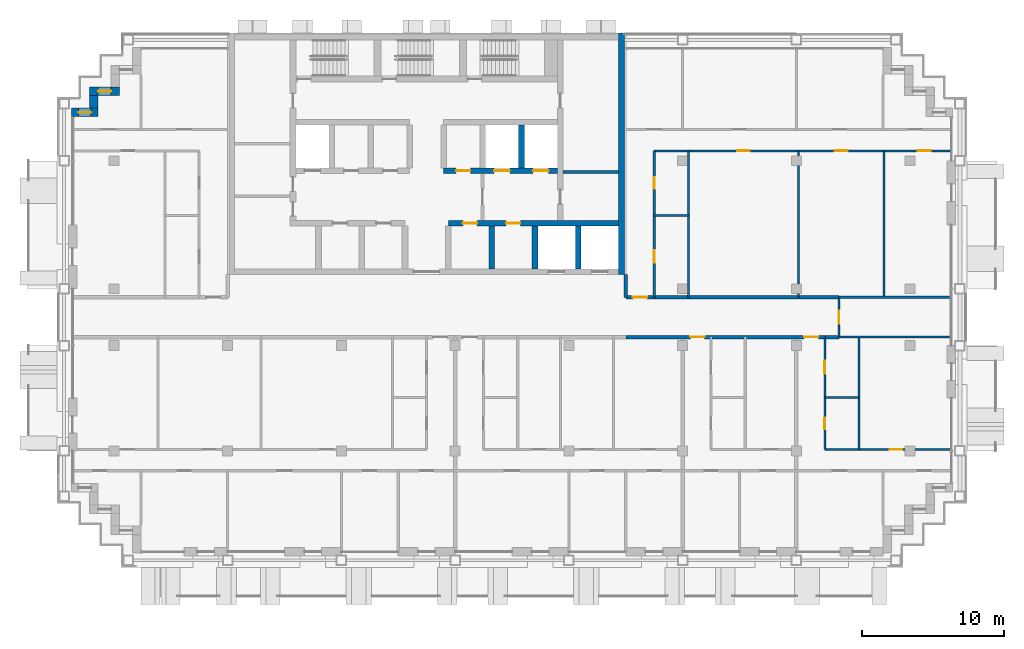
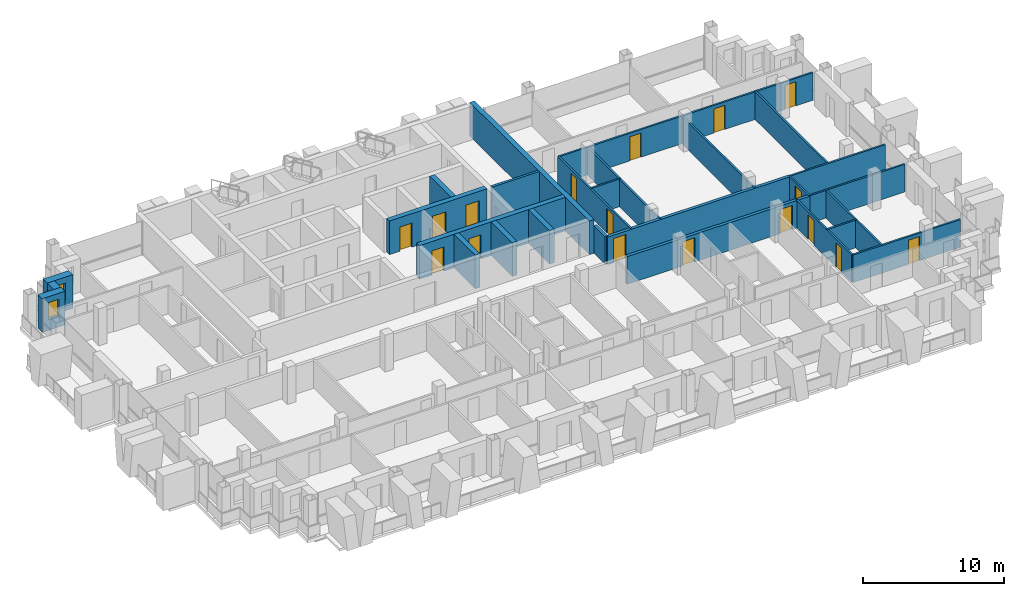
# One storey, part 10 of 16: 27 walls, 17 doors, 2 windows, 19 openings.
"""IFC4 building model written with IfcOpenShell, lengths in metres."""

from ifc_helpers import new_model, si_unit, direction, frame, frame_2d, origin, place, context, subcontext, project, spatial, rectangle, extrude, material, layer, layer_set, type_object, element, fill, save


model = new_model("IFC4")

# Units and contexts
model_context = context("Model", 3, precision=1e-05, world=origin(), true_north=direction((0.0, 1.0)))
body_context = subcontext(model_context, "Body", "Model", "MODEL_VIEW")
ifc_project = project(units=[si_unit("LENGTHUNIT", "METRE"), si_unit("AREAUNIT", "SQUARE_METRE"), si_unit("VOLUMEUNIT", "CUBIC_METRE"), si_unit("PLANEANGLEUNIT", "RADIAN"), si_unit("MASSUNIT", "GRAM", prefix="KILO")], contexts=[model_context])

# Site, building, storey
site_placement = place(None, origin())
site = spatial("IfcSite", under=ifc_project, at=site_placement, CompositionType="ELEMENT")
building_placement = place(site_placement, origin())
building = spatial("IfcBuilding", under=site, at=building_placement, Name="Vidyagriha Tower", CompositionType="ELEMENT")
storey_placement = place(building_placement, frame((0.0, 0.0, 178.10009765625)))
storey = spatial("IfcBuildingStorey", under=building, at=storey_placement, Name="L46", CompositionType="ELEMENT", Elevation=178.10009765625)

# Wall, opening, window
ifc_material_1 = material(Name="Precast concrete C40/50 with brick facing", Category="concrete")
ifc_layer_1 = layer(ifc_material_1, 0.60009765625)
ifc_layer_set_1 = layer_set([ifc_layer_1], Name="Precast concrete C40/50 with brick facing")
wall_type_1 = type_object("IfcWallType", Name="Brick-faced precast wall 600", PredefinedType="STANDARD", material=ifc_layer_set_1)
wall_1_placement = place(storey_placement, frame((-21.60009765625, 15.89990234375, 0.0), z_axis=(0.0, 0.0, 1.0), x_axis=(-1.0, 0.0, 0.0)))
wall_1 = element("IfcWall", 1, at=wall_1_placement, inside=storey, type_object=wall_type_1, Name="Stepped corner wall L46 R13", PredefinedType="STANDARD", context=body_context, shape_type="SweptSolid", body=[
    extrude(rectangle(XDim=2.099853515625, YDim=0.60009765625, at=frame_2d((1.0498046875, 0.0))), origin(), (0.0, 0.0, 1.0), 2.919921875),
])
opening_1_placement = place(wall_1_placement, frame((0.60009765625, 0.0, 0.89990234375)))
opening_1 = element("IfcOpeningElement", 2, at=opening_1_placement, cuts=wall_1, Name="Opening WN1", PredefinedType="OPENING", context=body_context, shape_type="SweptSolid", body=[
    extrude(rectangle(XDim=0.89990234375, YDim=1.5, at=frame_2d((0.449951171875, 0.75))), frame((0.0, 0.31005859375, 0.0), z_axis=(0.0, -1.0, 0.0), x_axis=(1.0, 0.0, 0.0)), (0.0, 0.0, 1.0), 0.6201171875),
])
ifc_material_2 = material(Name="Aluminium and glass window", Category="aluminium")
window_type = type_object("IfcWindowType", Name="Reveal window 900x1500", PartitioningType="NOTDEFINED", PredefinedType="WINDOW", material=ifc_material_2)
window_1_placement = place(opening_1_placement, origin())
window_1 = element("IfcWindow", 3, at=window_1_placement, inside=storey, type_object=window_type, Name="Reveal window L46 R13", OverallHeight=1.5, OverallWidth=0.89990234375, PartitioningType="SINGLE_PANEL", PredefinedType="WINDOW", context=body_context, shape_type="SweptSolid", body=[
    extrude(rectangle(XDim=0.89990234375, YDim=1.5, at=frame_2d((0.449951171875, 0.75))), frame((0.0, 0.030029296875, 0.0), z_axis=(0.0, -1.0, 0.0), x_axis=(1.0, 0.0, 0.0)), (0.0, 0.0, 1.0), 0.06005859375),
])
fill(opening_1, window_1)

# Wall
wall_2_placement = place(storey_placement, frame((-23.39990234375, 15.60009765625, 0.0), z_axis=(0.0, 0.0, 1.0), x_axis=(0.0, -1.0, 0.0)))
element("IfcWall", 4, at=wall_2_placement, inside=storey, type_object=wall_type_1, Name="Stepped corner wall L46 R14", PredefinedType="STANDARD", context=body_context, shape_type="SweptSolid", body=[
    extrude(rectangle(XDim=0.900146484375, YDim=0.60009765625, at=frame_2d((0.4501953125, 0.0))), origin(), (0.0, 0.0, 1.0), 2.919921875),
])

# Wall, opening, window
wall_3_placement = place(storey_placement, frame((-23.10009765625, 14.39990234375, 0.0), z_axis=(0.0, 0.0, 1.0), x_axis=(-1.0, 0.0, 0.0)))
wall_3 = element("IfcWall", 5, at=wall_3_placement, inside=storey, type_object=wall_type_1, Name="Stepped corner wall L46 R15", PredefinedType="STANDARD", context=body_context, shape_type="SweptSolid", body=[
    extrude(rectangle(XDim=1.8798828125, YDim=0.60009765625, at=frame_2d((0.93994140625, 0.0))), origin(), (0.0, 0.0, 1.0), 2.919921875),
])
opening_2_placement = place(wall_3_placement, frame((0.489990234375, 0.0, 0.89990234375)))
opening_2 = element("IfcOpeningElement", 6, at=opening_2_placement, cuts=wall_3, Name="Opening WN1", PredefinedType="OPENING", context=body_context, shape_type="SweptSolid", body=[
    extrude(rectangle(XDim=0.89990234375, YDim=1.5, at=frame_2d((0.449951171875, 0.75))), frame((0.0, 0.31005859375, 0.0), z_axis=(0.0, -1.0, 0.0), x_axis=(1.0, 0.0, 0.0)), (0.0, 0.0, 1.0), 0.6201171875),
])
window_2_placement = place(opening_2_placement, origin())
window_2 = element("IfcWindow", 7, at=window_2_placement, inside=storey, type_object=window_type, Name="Reveal window L46 R15", OverallHeight=1.5, OverallWidth=0.89990234375, PartitioningType="SINGLE_PANEL", PredefinedType="WINDOW", context=body_context, shape_type="SweptSolid", body=[
    extrude(rectangle(XDim=0.89990234375, YDim=1.5, at=frame_2d((0.449951171875, 0.75))), frame((0.0, 0.030029296875, 0.0), z_axis=(0.0, -1.0, 0.0), x_axis=(1.0, 0.0, 0.0)), (0.0, 0.0, 1.0), 0.06005859375),
])
fill(opening_2, window_2)

# Wall
ifc_material_3 = material(Name="Concrete C60/75", Category="concrete")
ifc_layer_2 = layer(ifc_material_3, 0.39990234375)
ifc_layer_set_2 = layer_set([ifc_layer_2], Name="Concrete C60/75")
wall_type_2 = type_object("IfcWallType", Name="Core shear wall 400 mm", PredefinedType="SHEAR", material=ifc_layer_set_2)
wall_4_placement = place(storey_placement, frame((13.699951171875, 3.0, 0.0), z_axis=(0.0, 0.0, 1.0), x_axis=(0.0, 1.0, 0.0)))
element("IfcWall", 8, at=wall_4_placement, inside=storey, type_object=wall_type_2, Name="Core east wall", PredefinedType="SHEAR", context=body_context, shape_type="SweptSolid", body=[
    extrude(rectangle(XDim=17.0, YDim=0.39990234375, at=frame_2d((8.5, 0.0))), origin(), (0.0, 0.0, 1.0), 2.919921875),
])

# Wall, openings, doors
wall_5_placement = place(storey_placement, frame((1.522216796875, 6.60009765625, 0.0)))
wall_5 = element("IfcWall", 9, at=wall_5_placement, inside=storey, type_object=wall_type_2, Name="Core lobby south wall east", PredefinedType="SHEAR", context=body_context, shape_type="SweptSolid", body=[
    extrude(rectangle(XDim=11.977783203125, YDim=0.39990234375, at=frame_2d((5.98876953125, 0.0))), origin(), (0.0, 0.0, 1.0), 2.919921875),
])
opening_3_placement = place(wall_5_placement, frame((1.022216796875, 0.0, 0.0)))
opening_3 = element("IfcOpeningElement", 10, at=opening_3_placement, cuts=wall_5, Name="Opening D46-04", PredefinedType="OPENING", context=body_context, shape_type="SweptSolid", body=[
    extrude(rectangle(XDim=1.0, YDim=2.10009765625, at=frame_2d((0.5, 1.050048828125))), frame((0.0, 0.2099609375, 0.0), z_axis=(0.0, -1.0, 0.0), x_axis=(1.0, 0.0, 0.0)), (0.0, 0.0, 1.0), 0.419921875),
])
opening_4_placement = place(wall_5_placement, frame((4.066650390625, 0.0, 0.0)))
opening_4 = element("IfcOpeningElement", 11, at=opening_4_placement, cuts=wall_5, Name="Opening D46-05", PredefinedType="OPENING", context=body_context, shape_type="SweptSolid", body=[
    extrude(rectangle(XDim=1.0, YDim=2.10009765625, at=frame_2d((0.5, 1.050048828125))), frame((0.0, 0.2099609375, 0.0), z_axis=(0.0, -1.0, 0.0), x_axis=(1.0, 0.0, 0.0)), (0.0, 0.0, 1.0), 0.419921875),
])
ifc_material_4 = material(Name="Hollow metal door leaf")
door_type_1 = type_object("IfcDoorType", Name="Core room door 1000 x 2100 mm EI 60", OperationType="NOTDEFINED", PredefinedType="DOOR", material=ifc_material_4)
door_1_placement = place(opening_3_placement, origin())
door_1 = element("IfcDoor", 12, at=door_1_placement, inside=storey, type_object=door_type_1, Name="Door Pressurisation Plant Room 46.03", OperationType="SINGLE_SWING_RIGHT", OverallHeight=2.10009765625, OverallWidth=1.0, PredefinedType="DOOR", context=body_context, shape_type="SweptSolid", body=[
    extrude(rectangle(XDim=1.0, YDim=2.10009765625, at=frame_2d((0.5, 1.050048828125))), frame((0.0, 0.02490234375, 0.0), z_axis=(0.0, -1.0, 0.0), x_axis=(1.0, 0.0, 0.0)), (0.0, 0.0, 1.0), 0.050048828125),
])
fill(opening_3, door_1)
door_2_placement = place(opening_4_placement, origin())
door_2 = element("IfcDoor", 13, at=door_2_placement, inside=storey, type_object=door_type_1, Name="Door Mechanical Riser Room 46.04", OperationType="SINGLE_SWING_RIGHT", OverallHeight=2.10009765625, OverallWidth=1.0, PredefinedType="DOOR", context=body_context, shape_type="SweptSolid", body=[
    extrude(rectangle(XDim=1.0, YDim=2.10009765625, at=frame_2d((0.5, 1.050048828125))), frame((0.0, 0.02490234375, 0.0), z_axis=(0.0, -1.0, 0.0), x_axis=(1.0, 0.0, 0.0)), (0.0, 0.0, 1.0), 0.050048828125),
])
fill(opening_4, door_2)

# Walls
for number, where, z_axis, x_axis, name in (
    (14, (4.566650390625, 3.39990234375, 0.0), (0.0, 0.0, 1.0), (0.0, 1.0, 0.0), "Core bay wall S6"),
    (15, (7.611083984375, 3.39990234375, 0.0), (0.0, 0.0, 1.0), (0.0, 1.0, 0.0), "Core bay wall S7"),
    (16, (10.655517578125, 3.39990234375, 0.0), (0.0, 0.0, 1.0), (0.0, 1.0, 0.0), "Core bay wall S8"),
):
    element("IfcWall", number, at=place(storey_placement, frame(where, z_axis=z_axis, x_axis=x_axis)), inside=storey, type_object=wall_type_2, Name=name, PredefinedType="SHEAR", context=body_context, shape_type="SweptSolid", body=[
        extrude(rectangle(XDim=3.0, YDim=0.39990234375, at=frame_2d((1.5, 0.0))), origin(), (0.0, 0.0, 1.0), 2.919921875),
    ])

# Wall, openings, doors
wall_6_placement = place(storey_placement, frame((1.199951171875, 10.300048828125, 0.0)))
wall_6 = element("IfcWall", 17, at=wall_6_placement, inside=storey, type_object=wall_type_2, Name="Core row N front wall", PredefinedType="SHEAR", context=body_context, shape_type="SweptSolid", body=[
    extrude(rectangle(XDim=8.0, YDim=0.39990234375, at=frame_2d((4.0, 0.0))), origin(), (0.0, 0.0, 1.0), 2.919921875),
])
opening_5_placement = place(wall_6_placement, frame((3.550048828125, 0.0, 0.0)))
opening_5 = element("IfcOpeningElement", 18, at=opening_5_placement, cuts=wall_6, Name="Opening LD46-04", PredefinedType="OPENING", context=body_context, shape_type="SweptSolid", body=[
    extrude(rectangle(XDim=1.10009765625, YDim=2.10009765625, at=frame_2d((0.550048828125, 1.050048828125))), frame((0.0, 0.2099609375, 0.0), z_axis=(0.0, -1.0, 0.0), x_axis=(1.0, 0.0, 0.0)), (0.0, 0.0, 1.0), 0.419921875),
])
opening_6_placement = place(wall_6_placement, frame((6.283203125, 0.0, 0.0)))
opening_6 = element("IfcOpeningElement", 19, at=opening_6_placement, cuts=wall_6, Name="Opening LD46-05", PredefinedType="OPENING", context=body_context, shape_type="SweptSolid", body=[
    extrude(rectangle(XDim=1.10009765625, YDim=2.10009765625, at=frame_2d((0.550048828125, 1.050048828125))), frame((0.0, 0.2099609375, 0.0), z_axis=(0.0, -1.0, 0.0), x_axis=(1.0, 0.0, 0.0)), (0.0, 0.0, 1.0), 0.419921875),
])
opening_7_placement = place(wall_6_placement, frame((0.86669921875, 0.0, 0.0)))
opening_7 = element("IfcOpeningElement", 20, at=opening_7_placement, cuts=wall_6, Name="Opening D46-08", PredefinedType="OPENING", context=body_context, shape_type="SweptSolid", body=[
    extrude(rectangle(XDim=1.0, YDim=2.10009765625, at=frame_2d((0.5, 1.050048828125))), frame((0.0, 0.2099609375, 0.0), z_axis=(0.0, -1.0, 0.0), x_axis=(1.0, 0.0, 0.0)), (0.0, 0.0, 1.0), 0.419921875),
])
door_3_placement = place(opening_7_placement, frame((1.0, 0.0, 0.0), z_axis=(0.0, 0.0, 1.0), x_axis=(-1.0, 0.0, 0.0)))
door_3 = element("IfcDoor", 21, at=door_3_placement, inside=storey, type_object=door_type_1, Name="Door Riser Room 46.16", OperationType="SINGLE_SWING_LEFT", OverallHeight=2.10009765625, OverallWidth=1.0, PredefinedType="DOOR", context=body_context, shape_type="SweptSolid", body=[
    extrude(rectangle(XDim=1.0, YDim=2.10009765625, at=frame_2d((0.5, 1.050048828125))), frame((0.0, 0.02490234375, 0.0), z_axis=(0.0, -1.0, 0.0), x_axis=(1.0, 0.0, 0.0)), (0.0, 0.0, 1.0), 0.050048828125),
])
fill(opening_7, door_3)
ifc_material_5 = material(Name="Stainless steel sliding door panel", Category="steel")
door_type_2 = type_object("IfcDoorType", Name="Lift landing door 1100 x 2100 mm EI 90", OperationType="NOTDEFINED", PredefinedType="DOOR", material=ifc_material_5)
door_4_placement = place(opening_5_placement, origin())
door_4 = element("IfcDoor", 22, at=door_4_placement, inside=storey, type_object=door_type_2, Name="Landing door FF1 L46", OperationType="SLIDING_TO_LEFT", OverallHeight=2.10009765625, OverallWidth=1.10009765625, PredefinedType="DOOR", context=body_context, shape_type="SweptSolid", body=[
    extrude(rectangle(XDim=1.10009765625, YDim=2.10009765625, at=frame_2d((0.550048828125, 1.050048828125))), frame((0.0, 0.02490234375, 0.0), z_axis=(0.0, -1.0, 0.0), x_axis=(1.0, 0.0, 0.0)), (0.0, 0.0, 1.0), 0.050048828125),
])
fill(opening_5, door_4)
door_5_placement = place(opening_6_placement, origin())
door_5 = element("IfcDoor", 23, at=door_5_placement, inside=storey, type_object=door_type_2, Name="Landing door FF2 L46", OperationType="SLIDING_TO_LEFT", OverallHeight=2.10009765625, OverallWidth=1.10009765625, PredefinedType="DOOR", context=body_context, shape_type="SweptSolid", body=[
    extrude(rectangle(XDim=1.10009765625, YDim=2.10009765625, at=frame_2d((0.550048828125, 1.050048828125))), frame((0.0, 0.02490234375, 0.0), z_axis=(0.0, -1.0, 0.0), x_axis=(1.0, 0.0, 0.0)), (0.0, 0.0, 1.0), 0.050048828125),
])
fill(opening_6, door_5)

# Wall
wall_7_placement = place(storey_placement, frame((6.666748046875, 10.5, 0.0), z_axis=(0.0, 0.0, 1.0), x_axis=(0.0, 1.0, 0.0)))
element("IfcWall", 24, at=wall_7_placement, inside=storey, type_object=wall_type_2, Name="Core bay wall N6", PredefinedType="SHEAR", context=body_context, shape_type="SweptSolid", body=[
    extrude(rectangle(XDim=3.0, YDim=0.39990234375, at=frame_2d((1.5, 0.0))), origin(), (0.0, 0.0, 1.0), 2.919921875),
])

# Wall, openings, doors
ifc_material_6 = material(Name="Fired clay brick masonry", Category="masonry")
ifc_layer_3 = layer(ifc_material_6, 0.25)
ifc_layer_set_3 = layer_set([ifc_layer_3], Name="Fired clay brick masonry")
wall_type_3 = type_object("IfcWallType", Name="Fired clay brick corridor wall 250", PredefinedType="PARTITIONING", material=ifc_layer_set_3)
wall_8_placement = place(storey_placement, frame((29.0, -1.39990234375, 0.0), z_axis=(0.0, 0.0, 1.0), x_axis=(-1.0, 0.0, 0.0)))
wall_8 = element("IfcWall", 25, at=wall_8_placement, inside=storey, type_object=wall_type_3, Name="Wall all-L46-w069", PredefinedType="PARTITIONING", context=body_context, shape_type="SweptSolid", body=[
    extrude(rectangle(XDim=15.0, YDim=0.25, at=frame_2d((7.5, 0.0))), origin(), (0.0, 0.0, 1.0), 2.39990234375),
])
opening_8_placement = place(wall_8_placement, frame((9.452880859375, 0.0, 0.0)))
opening_8 = element("IfcOpeningElement", 26, at=opening_8_placement, cuts=wall_8, Name="Opening D46-43", PredefinedType="OPENING", context=body_context, shape_type="SweptSolid", body=[
    extrude(rectangle(XDim=1.0, YDim=2.10009765625, at=frame_2d((0.5, 1.050048828125))), frame((0.0, 0.135009765625, 0.0), z_axis=(0.0, -1.0, 0.0), x_axis=(1.0, 0.0, 0.0)), (0.0, 0.0, 1.0), 0.27001953125),
])
opening_9_placement = place(wall_8_placement, frame((1.452880859375, 0.0, 0.0)))
opening_9 = element("IfcOpeningElement", 27, at=opening_9_placement, cuts=wall_8, Name="Opening D46-49", PredefinedType="OPENING", context=body_context, shape_type="SweptSolid", body=[
    extrude(rectangle(XDim=1.0, YDim=2.10009765625, at=frame_2d((0.5, 1.050048828125))), frame((0.0, 0.135009765625, 0.0), z_axis=(0.0, -1.0, 0.0), x_axis=(1.0, 0.0, 0.0)), (0.0, 0.0, 1.0), 0.27001953125),
])
ifc_material_7 = material(Name="Fire-rated timber door leaf EI 60", Category="wood")
door_type_3 = type_object("IfcDoorType", Name="Flat entrance fire door 1000x2100", OperationType="NOTDEFINED", PredefinedType="DOOR", material=ifc_material_7)
door_6_placement = place(opening_8_placement, origin())
door_6 = element("IfcDoor", 28, at=door_6_placement, inside=storey, type_object=door_type_3, Name="Door D46-43", OperationType="SINGLE_SWING_RIGHT", OverallHeight=2.10009765625, OverallWidth=1.0, PredefinedType="DOOR", context=body_context, shape_type="SweptSolid", body=[
    extrude(rectangle(XDim=1.0, YDim=2.10009765625, at=frame_2d((0.5, 1.050048828125))), frame((0.0, 0.02490234375, 0.0), z_axis=(0.0, -1.0, 0.0), x_axis=(1.0, 0.0, 0.0)), (0.0, 0.0, 1.0), 0.050048828125),
])
fill(opening_8, door_6)
door_7_placement = place(opening_9_placement, origin())
door_7 = element("IfcDoor", 29, at=door_7_placement, inside=storey, type_object=door_type_3, Name="Door D46-49", OperationType="SINGLE_SWING_RIGHT", OverallHeight=2.10009765625, OverallWidth=1.0, PredefinedType="DOOR", context=body_context, shape_type="SweptSolid", body=[
    extrude(rectangle(XDim=1.0, YDim=2.10009765625, at=frame_2d((0.5, 1.050048828125))), frame((0.0, 0.02490234375, 0.0), z_axis=(0.0, -1.0, 0.0), x_axis=(1.0, 0.0, 0.0)), (0.0, 0.0, 1.0), 0.050048828125),
])
fill(opening_9, door_7)

# Wall, opening, door
wall_9_placement = place(storey_placement, frame((14.0, 1.39990234375, 0.0)))
wall_9 = element("IfcWall", 30, at=wall_9_placement, inside=storey, type_object=wall_type_3, Name="Wall all-L46-w104", PredefinedType="PARTITIONING", context=body_context, shape_type="SweptSolid", body=[
    extrude(rectangle(XDim=15.0, YDim=0.25, at=frame_2d((7.5, 0.0))), origin(), (0.0, 0.0, 1.0), 2.39990234375),
])
opening_10_placement = place(wall_9_placement, frame((0.5, 0.0, 0.0)))
opening_10 = element("IfcOpeningElement", 31, at=opening_10_placement, cuts=wall_9, Name="Opening D46-65", PredefinedType="OPENING", context=body_context, shape_type="SweptSolid", body=[
    extrude(rectangle(XDim=1.0, YDim=2.10009765625, at=frame_2d((0.5, 1.050048828125))), frame((0.0, 0.135009765625, 0.0), z_axis=(0.0, -1.0, 0.0), x_axis=(1.0, 0.0, 0.0)), (0.0, 0.0, 1.0), 0.27001953125),
])
door_8_placement = place(opening_10_placement, origin())
door_8 = element("IfcDoor", 32, at=door_8_placement, inside=storey, type_object=door_type_3, Name="Door D46-65", OperationType="SINGLE_SWING_LEFT", OverallHeight=2.10009765625, OverallWidth=1.0, PredefinedType="DOOR", context=body_context, shape_type="SweptSolid", body=[
    extrude(rectangle(XDim=1.0, YDim=2.10009765625, at=frame_2d((0.5, 1.050048828125))), frame((0.0, 0.02490234375, 0.0), z_axis=(0.0, -1.0, 0.0), x_axis=(1.0, 0.0, 0.0)), (0.0, 0.0, 1.0), 0.050048828125),
])
fill(opening_10, door_8)

# Walls
wall_10_placement = place(storey_placement, frame((14.0, 1.39990234375, 0.0), z_axis=(0.0, 0.0, 1.0), x_axis=(0.0, 1.0, 0.0)))
element("IfcWall", 33, at=wall_10_placement, inside=storey, type_object=wall_type_3, Name="Wall all-L46-w110", PredefinedType="PARTITIONING", context=body_context, shape_type="SweptSolid", body=[
    extrude(rectangle(XDim=1.60009765625, YDim=0.25, at=frame_2d((0.800048828125, 0.0))), origin(), (0.0, 0.0, 1.0), 2.39990234375),
])
ifc_material_8 = material(Name="Gypsum board partition")
ifc_layer_4 = layer(ifc_material_8, 0.14990234375)
ifc_layer_set_4 = layer_set([ifc_layer_4], Name="Gypsum board partition")
wall_type_4 = type_object("IfcWallType", Name="Gypsum board partition 150", PredefinedType="PARTITIONING", material=ifc_layer_set_4)
wall_11_placement = place(storey_placement, frame((30.39990234375, -5.64990234375, 0.0), z_axis=(0.0, 0.0, 1.0), x_axis=(-1.0, 0.0, 0.0)))
element("IfcWall", 34, at=wall_11_placement, inside=storey, type_object=wall_type_4, Name="Wall all-L46-w058", PredefinedType="PARTITIONING", context=body_context, shape_type="SweptSolid", body=[
    extrude(rectangle(XDim=2.39990234375, YDim=0.14990234375, at=frame_2d((1.199951171875, 0.0))), origin(), (0.0, 0.0, 1.0), 2.39990234375),
])
wall_12_placement = place(storey_placement, frame((30.39990234375, -1.39990234375, 0.0), z_axis=(0.0, 0.0, 1.0), x_axis=(0.0, -1.0, 0.0)))
element("IfcWall", 35, at=wall_12_placement, inside=storey, type_object=wall_type_4, Name="Wall all-L46-w059", PredefinedType="PARTITIONING", context=body_context, shape_type="SweptSolid", body=[
    extrude(rectangle(XDim=7.900146484375, YDim=0.14990234375, at=frame_2d((3.9501953125, 0.0))), origin(), (0.0, 0.0, 1.0), 2.39990234375),
])

# Wall, opening, door
wall_13_placement = place(storey_placement, frame((28.0, -9.300048828125, 0.0)))
wall_13 = element("IfcWall", 36, at=wall_13_placement, inside=storey, type_object=wall_type_4, Name="Wall all-L46-w060", PredefinedType="PARTITIONING", context=body_context, shape_type="SweptSolid", body=[
    extrude(rectangle(XDim=8.820068359375, YDim=0.14990234375, at=frame_2d((4.41015625, 0.0))), origin(), (0.0, 0.0, 1.0), 2.39990234375),
])
opening_11_placement = place(wall_13_placement, frame((4.552978515625, 0.0, 0.0)))
opening_11 = element("IfcOpeningElement", 37, at=opening_11_placement, cuts=wall_13, Name="Opening D46-46", PredefinedType="OPENING", context=body_context, shape_type="SweptSolid", body=[
    extrude(rectangle(XDim=0.89990234375, YDim=2.10009765625, at=frame_2d((0.449951171875, 1.050048828125))), frame((0.0, 0.0849609375, 0.0), z_axis=(0.0, -1.0, 0.0), x_axis=(1.0, 0.0, 0.0)), (0.0, 0.0, 1.0), 0.169921875),
])
ifc_material_9 = material(Name="Timber door leaf", Category="wood")
door_type_4 = type_object("IfcDoorType", Name="Room door 900x2100", OperationType="NOTDEFINED", PredefinedType="DOOR", material=ifc_material_9)
door_9_placement = place(opening_11_placement, origin())
door_9 = element("IfcDoor", 38, at=door_9_placement, inside=storey, type_object=door_type_4, Name="Door D46-46", OperationType="SINGLE_SWING_LEFT", OverallHeight=2.10009765625, OverallWidth=0.89990234375, PredefinedType="DOOR", context=body_context, shape_type="SweptSolid", body=[
    extrude(rectangle(XDim=0.89990234375, YDim=2.10009765625, at=frame_2d((0.449951171875, 1.050048828125))), frame((0.0, 0.02490234375, 0.0), z_axis=(0.0, -1.0, 0.0), x_axis=(1.0, 0.0, 0.0)), (0.0, 0.0, 1.0), 0.050048828125),
])
fill(opening_11, door_9)

# Walls
wall_14_placement = place(storey_placement, frame((36.820068359375, -1.39990234375, 0.0), z_axis=(0.0, 0.0, 1.0), x_axis=(-1.0, 0.0, 0.0)))
element("IfcWall", 39, at=wall_14_placement, inside=storey, type_object=wall_type_4, Name="Wall all-L46-w070", PredefinedType="PARTITIONING", context=body_context, shape_type="SweptSolid", body=[
    extrude(rectangle(XDim=7.820068359375, YDim=0.14990234375, at=frame_2d((3.91015625, 0.0))), origin(), (0.0, 0.0, 1.0), 2.39990234375),
])
wall_15_placement = place(storey_placement, frame((16.0, 7.14990234375, 0.0)))
element("IfcWall", 40, at=wall_15_placement, inside=storey, type_object=wall_type_4, Name="Wall all-L46-w087", PredefinedType="PARTITIONING", context=body_context, shape_type="SweptSolid", body=[
    extrude(rectangle(XDim=2.39990234375, YDim=0.14990234375, at=frame_2d((1.199951171875, 0.0))), origin(), (0.0, 0.0, 1.0), 2.39990234375),
])
for number, where, z_axis, x_axis, name in (
    (41, (18.39990234375, 11.699951171875, 0.0), (0.0, 0.0, 1.0), (0.0, -1.0, 0.0), "Wall all-L46-w088"),
    (42, (26.14990234375, 11.699951171875, 0.0), (0.0, 0.0, 1.0), (0.0, -1.0, 0.0), "Wall all-L46-w089"),
    (43, (32.14990234375, 11.699951171875, 0.0), (0.0, 0.0, 1.0), (0.0, -1.0, 0.0), "Wall all-L46-w090"),
):
    element("IfcWall", number, at=place(storey_placement, frame(where, z_axis=z_axis, x_axis=x_axis)), inside=storey, type_object=wall_type_4, Name=name, PredefinedType="PARTITIONING", context=body_context, shape_type="SweptSolid", body=[
        extrude(rectangle(XDim=10.300048828125, YDim=0.14990234375, at=frame_2d((5.14990234375, 0.0))), origin(), (0.0, 0.0, 1.0), 2.39990234375),
    ])

# Wall, openings, doors
wall_16_placement = place(storey_placement, frame((36.820068359375, 11.699951171875, 0.0), z_axis=(0.0, 0.0, 1.0), x_axis=(-1.0, 0.0, 0.0)))
wall_16 = element("IfcWall", 44, at=wall_16_placement, inside=storey, type_object=wall_type_4, Name="Wall all-L46-w091", PredefinedType="PARTITIONING", context=body_context, shape_type="SweptSolid", body=[
    extrude(rectangle(XDim=20.820068359375, YDim=0.14990234375, at=frame_2d((10.41015625, 0.0))), origin(), (0.0, 0.0, 1.0), 2.39990234375),
])
opening_12_placement = place(wall_16_placement, frame((14.094970703125, 0.0, 0.0)))
opening_12 = element("IfcOpeningElement", 45, at=opening_12_placement, cuts=wall_16, Name="Opening D46-58", PredefinedType="OPENING", context=body_context, shape_type="SweptSolid", body=[
    extrude(rectangle(XDim=0.89990234375, YDim=2.10009765625, at=frame_2d((0.449951171875, 1.050048828125))), frame((0.0, 0.0849609375, 0.0), z_axis=(0.0, -1.0, 0.0), x_axis=(1.0, 0.0, 0.0)), (0.0, 0.0, 1.0), 0.169921875),
])
opening_13_placement = place(wall_16_placement, frame((7.219970703125, 0.0, 0.0)))
opening_13 = element("IfcOpeningElement", 46, at=opening_13_placement, cuts=wall_16, Name="Opening D46-59", PredefinedType="OPENING", context=body_context, shape_type="SweptSolid", body=[
    extrude(rectangle(XDim=0.89990234375, YDim=2.10009765625, at=frame_2d((0.449951171875, 1.050048828125))), frame((0.0, 0.0849609375, 0.0), z_axis=(0.0, -1.0, 0.0), x_axis=(1.0, 0.0, 0.0)), (0.0, 0.0, 1.0), 0.169921875),
])
opening_14_placement = place(wall_16_placement, frame((1.373046875, 0.0, 0.0)))
opening_14 = element("IfcOpeningElement", 47, at=opening_14_placement, cuts=wall_16, Name="Opening D46-60", PredefinedType="OPENING", context=body_context, shape_type="SweptSolid", body=[
    extrude(rectangle(XDim=0.89990234375, YDim=2.10009765625, at=frame_2d((0.449951171875, 1.050048828125))), frame((0.0, 0.0849609375, 0.0), z_axis=(0.0, -1.0, 0.0), x_axis=(1.0, 0.0, 0.0)), (0.0, 0.0, 1.0), 0.169921875),
])
door_10_placement = place(opening_12_placement, origin())
door_10 = element("IfcDoor", 48, at=door_10_placement, inside=storey, type_object=door_type_4, Name="Door D46-58", OperationType="SINGLE_SWING_RIGHT", OverallHeight=2.10009765625, OverallWidth=0.89990234375, PredefinedType="DOOR", context=body_context, shape_type="SweptSolid", body=[
    extrude(rectangle(XDim=0.89990234375, YDim=2.10009765625, at=frame_2d((0.449951171875, 1.050048828125))), frame((0.0, 0.02490234375, 0.0), z_axis=(0.0, -1.0, 0.0), x_axis=(1.0, 0.0, 0.0)), (0.0, 0.0, 1.0), 0.050048828125),
])
fill(opening_12, door_10)
door_11_placement = place(opening_13_placement, origin())
door_11 = element("IfcDoor", 49, at=door_11_placement, inside=storey, type_object=door_type_4, Name="Door D46-59", OperationType="SINGLE_SWING_RIGHT", OverallHeight=2.10009765625, OverallWidth=0.89990234375, PredefinedType="DOOR", context=body_context, shape_type="SweptSolid", body=[
    extrude(rectangle(XDim=0.89990234375, YDim=2.10009765625, at=frame_2d((0.449951171875, 1.050048828125))), frame((0.0, 0.02490234375, 0.0), z_axis=(0.0, -1.0, 0.0), x_axis=(1.0, 0.0, 0.0)), (0.0, 0.0, 1.0), 0.050048828125),
])
fill(opening_13, door_11)
door_12_placement = place(opening_14_placement, origin())
door_12 = element("IfcDoor", 50, at=door_12_placement, inside=storey, type_object=door_type_4, Name="Door D46-60", OperationType="SINGLE_SWING_LEFT", OverallHeight=2.10009765625, OverallWidth=0.89990234375, PredefinedType="DOOR", context=body_context, shape_type="SweptSolid", body=[
    extrude(rectangle(XDim=0.89990234375, YDim=2.10009765625, at=frame_2d((0.449951171875, 1.050048828125))), frame((0.0, 0.02490234375, 0.0), z_axis=(0.0, -1.0, 0.0), x_axis=(1.0, 0.0, 0.0)), (0.0, 0.0, 1.0), 0.050048828125),
])
fill(opening_14, door_12)

# Wall
wall_17_placement = place(storey_placement, frame((29.0, 1.39990234375, 0.0)))
element("IfcWall", 51, at=wall_17_placement, inside=storey, type_object=wall_type_4, Name="Wall all-L46-w105", PredefinedType="PARTITIONING", context=body_context, shape_type="SweptSolid", body=[
    extrude(rectangle(XDim=7.820068359375, YDim=0.14990234375, at=frame_2d((3.91015625, 0.0))), origin(), (0.0, 0.0, 1.0), 2.39990234375),
])

# Wall, opening, door
wall_18_placement = place(storey_placement, frame((29.0, -1.39990234375, 0.0), z_axis=(0.0, 0.0, 1.0), x_axis=(0.0, 1.0, 0.0)))
wall_18 = element("IfcWall", 52, at=wall_18_placement, inside=storey, type_object=wall_type_4, Name="Wall all-L46-w106", PredefinedType="PARTITIONING", context=body_context, shape_type="SweptSolid", body=[
    extrude(rectangle(XDim=2.7998046875, YDim=0.14990234375, at=frame_2d((1.39990234375, 0.0))), origin(), (0.0, 0.0, 1.0), 2.39990234375),
])
opening_15_placement = place(wall_18_placement, frame((0.949951171875, 0.0, 0.0)))
opening_15 = element("IfcOpeningElement", 53, at=opening_15_placement, cuts=wall_18, Name="Opening D46-66", PredefinedType="OPENING", context=body_context, shape_type="SweptSolid", body=[
    extrude(rectangle(XDim=0.89990234375, YDim=2.10009765625, at=frame_2d((0.449951171875, 1.050048828125))), frame((0.0, 0.0849609375, 0.0), z_axis=(0.0, -1.0, 0.0), x_axis=(1.0, 0.0, 0.0)), (0.0, 0.0, 1.0), 0.169921875),
])
door_13_placement = place(opening_15_placement, origin())
door_13 = element("IfcDoor", 54, at=door_13_placement, inside=storey, type_object=door_type_4, Name="Door D46-66", OperationType="SINGLE_SWING_RIGHT", OverallHeight=2.10009765625, OverallWidth=0.89990234375, PredefinedType="DOOR", context=body_context, shape_type="SweptSolid", body=[
    extrude(rectangle(XDim=0.89990234375, YDim=2.10009765625, at=frame_2d((0.449951171875, 1.050048828125))), frame((0.0, 0.02490234375, 0.0), z_axis=(0.0, -1.0, 0.0), x_axis=(1.0, 0.0, 0.0)), (0.0, 0.0, 1.0), 0.050048828125),
])
fill(opening_15, door_13)

# Wall, openings, doors
ifc_material_10 = material(Name="Moisture resistant gypsum board partition")
ifc_layer_5 = layer(ifc_material_10, 0.14990234375)
ifc_layer_set_5 = layer_set([ifc_layer_5], Name="Moisture resistant gypsum board partition")
wall_type_5 = type_object("IfcWallType", Name="Gypsum board wet-area partition 150", PredefinedType="PARTITIONING", material=ifc_layer_set_5)
wall_19_placement = place(storey_placement, frame((28.0, -1.39990234375, 0.0), z_axis=(0.0, 0.0, 1.0), x_axis=(0.0, -1.0, 0.0)))
wall_19 = element("IfcWall", 55, at=wall_19_placement, inside=storey, type_object=wall_type_5, Name="Wall all-L46-w055", PredefinedType="PARTITIONING", context=body_context, shape_type="SweptSolid", body=[
    extrude(rectangle(XDim=7.900146484375, YDim=0.14990234375, at=frame_2d((3.9501953125, 0.0))), origin(), (0.0, 0.0, 1.0), 2.39990234375),
])
opening_16_placement = place(wall_19_placement, frame((1.675048828125, 0.0, 0.0)))
opening_16 = element("IfcOpeningElement", 56, at=opening_16_placement, cuts=wall_19, Name="Opening D46-44", PredefinedType="OPENING", context=body_context, shape_type="SweptSolid", body=[
    extrude(rectangle(XDim=0.89990234375, YDim=2.10009765625, at=frame_2d((0.449951171875, 1.050048828125))), frame((0.0, 0.0849609375, 0.0), z_axis=(0.0, -1.0, 0.0), x_axis=(1.0, 0.0, 0.0)), (0.0, 0.0, 1.0), 0.169921875),
])
opening_17_placement = place(wall_19_placement, frame((5.675048828125, 0.0, 0.0)))
opening_17 = element("IfcOpeningElement", 57, at=opening_17_placement, cuts=wall_19, Name="Opening D46-45", PredefinedType="OPENING", context=body_context, shape_type="SweptSolid", body=[
    extrude(rectangle(XDim=0.800048828125, YDim=2.10009765625, at=frame_2d((0.39990234375, 1.050048828125))), frame((0.0, 0.0849609375, 0.0), z_axis=(0.0, -1.0, 0.0), x_axis=(1.0, 0.0, 0.0)), (0.0, 0.0, 1.0), 0.169921875),
])
ifc_material_11 = material(Name="Timber door leaf", Category="wood")
door_type_5 = type_object("IfcDoorType", Name="Bathroom door 800x2100", OperationType="NOTDEFINED", PredefinedType="DOOR", material=ifc_material_11)
door_14_placement = place(opening_17_placement, origin())
door_14 = element("IfcDoor", 58, at=door_14_placement, inside=storey, type_object=door_type_5, Name="Door D46-45", OperationType="SINGLE_SWING_LEFT", OverallHeight=2.10009765625, OverallWidth=0.800048828125, PredefinedType="DOOR", context=body_context, shape_type="SweptSolid", body=[
    extrude(rectangle(XDim=0.800048828125, YDim=2.10009765625, at=frame_2d((0.39990234375, 1.050048828125))), frame((0.0, 0.02490234375, 0.0), z_axis=(0.0, -1.0, 0.0), x_axis=(1.0, 0.0, 0.0)), (0.0, 0.0, 1.0), 0.050048828125),
])
fill(opening_17, door_14)
ifc_material_12 = material(Name="Timber door leaf", Category="wood")
door_type_6 = type_object("IfcDoorType", Name="Kitchen door 900x2100", OperationType="NOTDEFINED", PredefinedType="DOOR", material=ifc_material_12)
door_15_placement = place(opening_16_placement, origin())
door_15 = element("IfcDoor", 59, at=door_15_placement, inside=storey, type_object=door_type_6, Name="Door D46-44", OperationType="SINGLE_SWING_LEFT", OverallHeight=2.10009765625, OverallWidth=0.89990234375, PredefinedType="DOOR", context=body_context, shape_type="SweptSolid", body=[
    extrude(rectangle(XDim=0.89990234375, YDim=2.10009765625, at=frame_2d((0.449951171875, 1.050048828125))), frame((0.0, 0.02490234375, 0.0), z_axis=(0.0, -1.0, 0.0), x_axis=(1.0, 0.0, 0.0)), (0.0, 0.0, 1.0), 0.050048828125),
])
fill(opening_16, door_15)

wall_20_placement = place(storey_placement, frame((16.0, 11.699951171875, 0.0), z_axis=(0.0, 0.0, 1.0), x_axis=(0.0, -1.0, 0.0)))
wall_20 = element("IfcWall", 60, at=wall_20_placement, inside=storey, type_object=wall_type_5, Name="Wall all-L46-w084", PredefinedType="PARTITIONING", context=body_context, shape_type="SweptSolid", body=[
    extrude(rectangle(XDim=10.300048828125, YDim=0.14990234375, at=frame_2d((5.14990234375, 0.0))), origin(), (0.0, 0.0, 1.0), 2.39990234375),
])
opening_18_placement = place(wall_20_placement, frame((6.97509765625, 0.0, 0.0)))
opening_18 = element("IfcOpeningElement", 61, at=opening_18_placement, cuts=wall_20, Name="Opening D46-56", PredefinedType="OPENING", context=body_context, shape_type="SweptSolid", body=[
    extrude(rectangle(XDim=0.89990234375, YDim=2.10009765625, at=frame_2d((0.449951171875, 1.050048828125))), frame((0.0, 0.0849609375, 0.0), z_axis=(0.0, -1.0, 0.0), x_axis=(1.0, 0.0, 0.0)), (0.0, 0.0, 1.0), 0.169921875),
])
opening_19_placement = place(wall_20_placement, frame((1.875, 0.0, 0.0)))
opening_19 = element("IfcOpeningElement", 62, at=opening_19_placement, cuts=wall_20, Name="Opening D46-57", PredefinedType="OPENING", context=body_context, shape_type="SweptSolid", body=[
    extrude(rectangle(XDim=0.800048828125, YDim=2.10009765625, at=frame_2d((0.39990234375, 1.050048828125))), frame((0.0, 0.0849609375, 0.0), z_axis=(0.0, -1.0, 0.0), x_axis=(1.0, 0.0, 0.0)), (0.0, 0.0, 1.0), 0.169921875),
])
door_16_placement = place(opening_19_placement, origin())
door_16 = element("IfcDoor", 63, at=door_16_placement, inside=storey, type_object=door_type_5, Name="Door D46-57", OperationType="SINGLE_SWING_LEFT", OverallHeight=2.10009765625, OverallWidth=0.800048828125, PredefinedType="DOOR", context=body_context, shape_type="SweptSolid", body=[
    extrude(rectangle(XDim=0.800048828125, YDim=2.10009765625, at=frame_2d((0.39990234375, 1.050048828125))), frame((0.0, 0.02490234375, 0.0), z_axis=(0.0, -1.0, 0.0), x_axis=(1.0, 0.0, 0.0)), (0.0, 0.0, 1.0), 0.050048828125),
])
fill(opening_19, door_16)
door_17_placement = place(opening_18_placement, origin())
door_17 = element("IfcDoor", 64, at=door_17_placement, inside=storey, type_object=door_type_6, Name="Door D46-56", OperationType="SINGLE_SWING_LEFT", OverallHeight=2.10009765625, OverallWidth=0.89990234375, PredefinedType="DOOR", context=body_context, shape_type="SweptSolid", body=[
    extrude(rectangle(XDim=0.89990234375, YDim=2.10009765625, at=frame_2d((0.449951171875, 1.050048828125))), frame((0.0, 0.02490234375, 0.0), z_axis=(0.0, -1.0, 0.0), x_axis=(1.0, 0.0, 0.0)), (0.0, 0.0, 1.0), 0.050048828125),
])
fill(opening_18, door_17)

# Wall
ifc_material_13 = material(Name="Blockwork 15 MPa", Category="masonry")
ifc_layer_6 = layer(ifc_material_13, 0.199951171875)
ifc_layer_set_6 = layer_set([ifc_layer_6], Name="Blockwork 15 MPa")
wall_type_6 = type_object("IfcWallType", Name="Service room partition 200 mm", PredefinedType="PARTITIONING", material=ifc_layer_set_6)
wall_21_placement = place(storey_placement, frame((9.60009765625, 10.199951171875, 0.0)))
element("IfcWall", 65, at=wall_21_placement, inside=storey, type_object=wall_type_6, Name="Core room partition E1", PredefinedType="PARTITIONING", context=body_context, shape_type="SweptSolid", body=[
    extrude(rectangle(XDim=3.89990234375, YDim=0.199951171875, at=frame_2d((1.949951171875, 0.0))), origin(), (0.0, 0.0, 1.0), 2.919921875),
])

save(model, "model.ifc")
